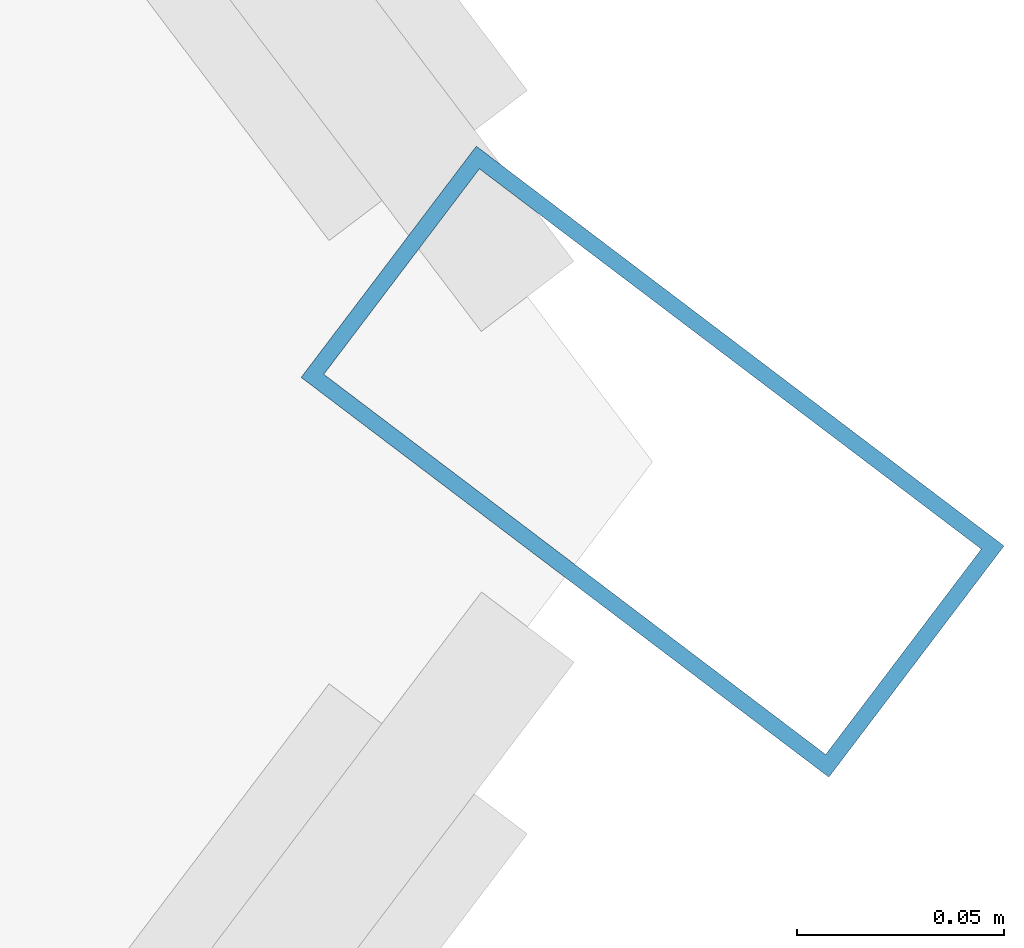
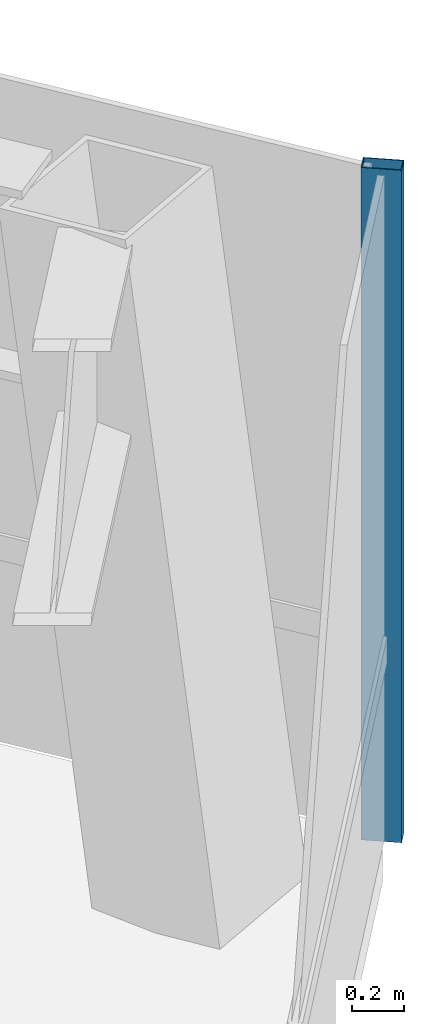
# One storey, part 20 of 27: 1 member, 1 element without a shape of its own.
"""IFC4 building model written with IfcOpenShell, lengths in metres."""

from ifc_helpers import new_model, si_unit, direction, frame, origin, origin_2d, place, context, subcontext, project, spatial, hollow_rectangle, extrude, material, layer, layer_set, material_profile, profile_set, type_object, element, aggregate, save


model = new_model("IFC4")

# Units and contexts
model_context = context("Model", 3, precision=1e-05, world=origin(), true_north=direction((0.0, 1.0)))
body_context = subcontext(model_context, "Body", "Model", "MODEL_VIEW")
ifc_project = project(units=[si_unit("LENGTHUNIT", "METRE"), si_unit("AREAUNIT", "SQUARE_METRE"), si_unit("VOLUMEUNIT", "CUBIC_METRE"), si_unit("PLANEANGLEUNIT", "RADIAN"), si_unit("MASSUNIT", "GRAM", prefix="KILO")], contexts=[model_context])

# Site, building, storey
site_placement = place(None, origin())
site = spatial("IfcSite", under=ifc_project, at=site_placement, CompositionType="ELEMENT")
building_placement = place(site_placement, origin())
building = spatial("IfcBuilding", under=site, at=building_placement, Name="Zarrinselat Tower", CompositionType="ELEMENT")
storey_placement = place(building_placement, frame((0.0, 0.0, 215.56005859375)))
storey = spatial("IfcBuildingStorey", under=building, at=storey_placement, Name="L53", CompositionType="ELEMENT", Elevation=215.56005859375)

# Curtain wall, member
ifc_material_1 = material(Name="Extruded Aluminium Alloy EN AW-6063 T6", Category="aluminium")
ifc_layer = layer(ifc_material_1, 0.169921875)
ifc_layer_set = layer_set([ifc_layer], Name="Extruded Aluminium Alloy EN AW-6063 T6")
curtain_wall_type = type_object("IfcCurtainWallType", Name="CWS-RES", PredefinedType="NOTDEFINED", material=ifc_layer_set)
curtain_wall_placement = place(storey_placement, origin())
curtain_wall = element("IfcCurtainWall", 1, at=curtain_wall_placement, inside=storey, type_object=curtain_wall_type, Name="L53 Unitised Curtain Wall CW-L53-E05", PredefinedType="NOTDEFINED")
ifc_material_2 = material(Name="Extruded Aluminium Alloy EN AW-6063 T6", Category="aluminium")
ifc_material_profile = material_profile(ifc_material_2, hollow_rectangle(XDim=0.070068359375, YDim=0.159912109375, WallThickness=0.00390625, at=origin_2d()), Name="RHS 160x70x4")
ifc_profile_set = profile_set([ifc_material_profile], Name="Extruded Aluminium Alloy EN AW-6063 T6")
member_type = type_object("IfcMemberType", Name="MEM-CW-MUL2", PredefinedType="MULLION", material=ifc_profile_set)
member_placement = place(storey_placement, frame((62.248291015625, 40.877685546875, 0.0), z_axis=(0.0, 0.0, 1.0), x_axis=(0.603859492128, 0.797090781384, 0.0)))
member = element("IfcMember", 2, at=member_placement, type_object=member_type, Name="CW-L53-E05 Mullion 9", PredefinedType="MULLION", context=body_context, shape_type="SweptSolid", body=[
    extrude(hollow_rectangle(XDim=0.070068359375, YDim=0.159912109375, WallThickness=0.00390625, at=origin_2d()), origin(), (0.0, 0.0, 1.0), 3.179931640625),
])
aggregate(curtain_wall, [member])

save(model, "model.ifc")
